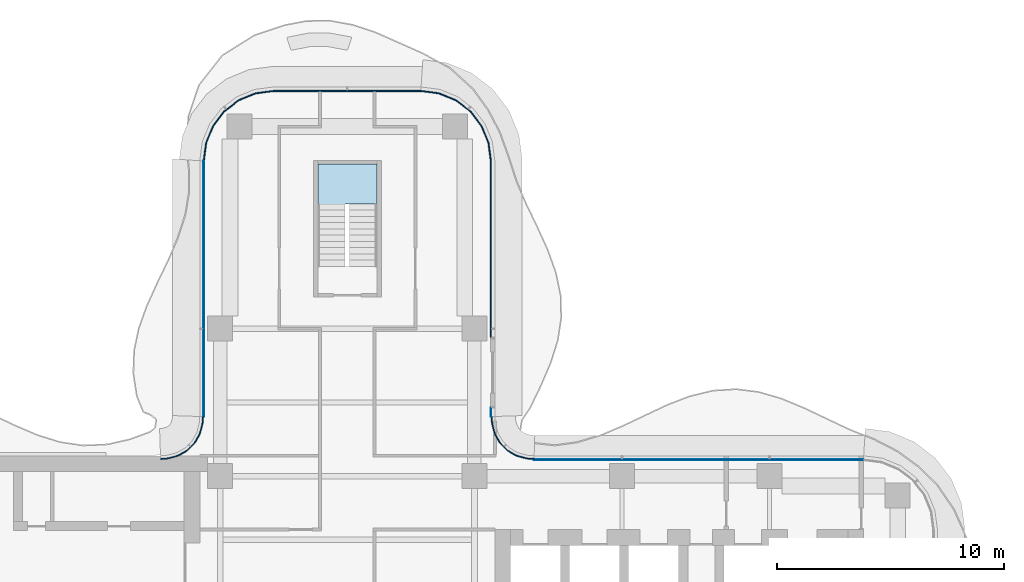
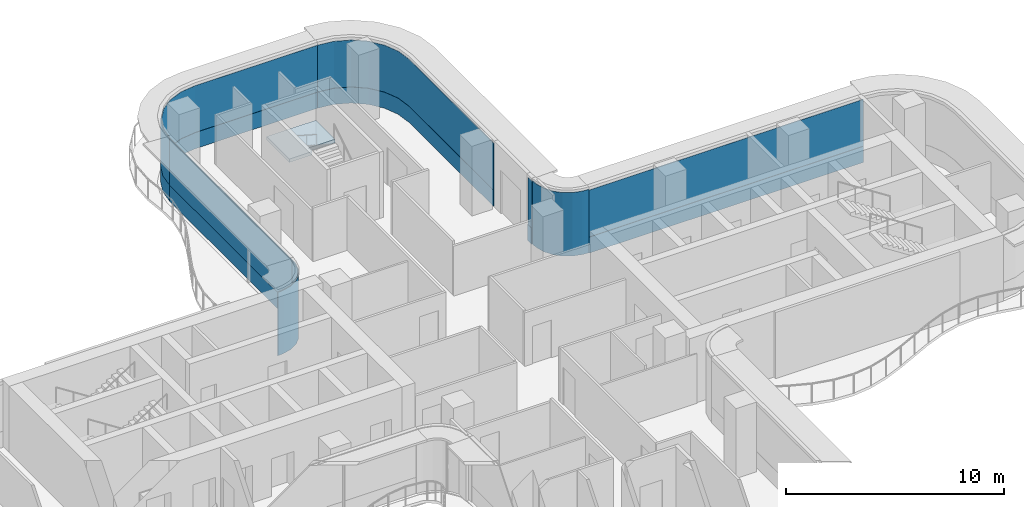
# One storey, part 12 of 18: 12 plates, 1 slab, 8 elements without a shape of their own.
"""IFC4 building model written with IfcOpenShell, lengths in metres."""

from ifc_helpers import new_model, si_unit, direction, frame, origin, place, context, subcontext, project, spatial, polyline, outline, extrude, source, transform, mapped, material, layer, layer_set, type_object, element, aggregate, save


model = new_model("IFC4")

# Units and contexts
model_context = context("Model", 3, precision=1e-05, world=origin(), true_north=direction((0.0, 1.0)))
body_context = subcontext(model_context, "Body", "Model", "MODEL_VIEW")
ifc_project = project(units=[si_unit("LENGTHUNIT", "METRE"), si_unit("AREAUNIT", "SQUARE_METRE"), si_unit("VOLUMEUNIT", "CUBIC_METRE"), si_unit("PLANEANGLEUNIT", "RADIAN"), si_unit("MASSUNIT", "GRAM", prefix="KILO")], contexts=[model_context])

# Site, building, storey
site_placement = place(None, origin())
site = spatial("IfcSite", under=ifc_project, at=site_placement, CompositionType="ELEMENT")
building_placement = place(site_placement, origin())
building = spatial("IfcBuilding", under=site, at=building_placement, Name="Trellis Farm Tower", CompositionType="ELEMENT")
storey_placement = place(building_placement, frame((0.0, 0.0, 224.60009765625)))
storey = spatial("IfcBuildingStorey", under=building, at=storey_placement, Name="L49", CompositionType="ELEMENT", Elevation=224.60009765625)

# Stair, slab
ifc_material_1 = material(Name="Concrete C50/60", Category="concrete")
stair_type = type_object("IfcStairType", Name="CORE EXIT STAIR 22 RISERS 177 MM", PredefinedType="HALF_TURN_STAIR", material=ifc_material_1)
placement_1 = place(storey_placement, origin())
stair = element("IfcStair", 1, at=placement_1, inside=storey, type_object=stair_type, Name="Exit stair N", PredefinedType="HALF_TURN_STAIR")
ifc_layer_1 = layer(ifc_material_1, 0.18994140625)
ifc_layer_set_1 = layer_set([ifc_layer_1], Name="CORE STAIR LANDING 190 CONCRETE C50/60")
slab_type = type_object("IfcSlabType", Name="CORE STAIR LANDING 190 CONCRETE C50/60", PredefinedType="LANDING", material=ifc_layer_set_1)
shared_shape_1 = source(origin(), body_context, "Body", "SweptSolid", [
    extrude(outline(polyline([(-0.10009765625, 17.27197265625), (-1.300048828125, 17.27197265625), (-1.300048828125, 17.60009765625), (-1.300048828125, 19.35009765625), (1.300048828125, 19.35009765625), (1.300048828125, 17.60009765625), (1.300048828125, 17.590087890625), (0.10009765625, 17.590087890625), (0.10009765625, 17.60009765625), (-0.10009765625, 17.60009765625), (-0.10009765625, 17.27197265625)])), origin(), (0.0, 0.0, 1.0), 0.18994140625),
])
slab_placement = place(storey_placement, frame((0.0, 0.0, 1.760009765625)))
slab = element("IfcSlab", 2, at=slab_placement, type_object=slab_type, Name="STN landing 1", PredefinedType="LANDING", context=body_context, shape_type="MappedRepresentation", body=[
    mapped(shared_shape_1, transform((0.0, 0.0, 0.0))),
])
aggregate(stair, [slab])

# Curtain wall, plate
ifc_material_2 = material(Name="Aluminium and glass curtain wall", Category="aluminium")
ifc_layer_2 = layer(ifc_material_2, 0.166015625)
ifc_layer_set_2 = layer_set([ifc_layer_2], Name="WINTER GARDEN CURTAIN WALL CW3")
curtain_wall_type_1 = type_object("IfcCurtainWallType", Name="WINTER GARDEN CURTAIN WALL CW3", PredefinedType="NOTDEFINED", material=ifc_layer_set_2)
curtain_wall_1 = element("IfcCurtainWall", 3, at=placement_1, inside=storey, type_object=curtain_wall_type_1, Name="CW3 003", PredefinedType="NOTDEFINED")
ifc_material_3 = material(Name="Clear insulated glass", Category="glass")
ifc_layer_3 = layer(ifc_material_3, 0.0458984375)
ifc_layer_set_3 = layer_set([ifc_layer_3], Name="CW3 GLASS PANEL 46")
plate_type_1 = type_object("IfcPlateType", Name="CW3 GLASS PANEL 46", PredefinedType="CURTAIN_PANEL", material=ifc_layer_set_3)
shared_shape_2 = source(origin(), body_context, "Body", "SweptSolid", [
    extrude(outline(polyline([(8.2275390625, 6.3798828125), (8.0078125, 6.394287109375), (7.89208984375, 6.40966796875), (7.462158203125, 6.52490234375), (7.070556640625, 6.7509765625), (6.7509765625, 7.070556640625), (6.52490234375, 7.462158203125), (6.40966796875, 7.89208984375), (6.394287109375, 8.0078125), (6.3798828125, 8.2275390625), (6.333984375, 8.22607421875), (6.3486328125, 8.003173828125), (6.364501953125, 7.883056640625), (6.48193359375, 7.4443359375), (6.714111328125, 7.04248046875), (7.04248046875, 6.714111328125), (7.4443359375, 6.48193359375), (7.883056640625, 6.364501953125), (8.003173828125, 6.3486328125), (8.22607421875, 6.333984375), (8.2275390625, 6.3798828125)])), origin(), (0.0, 0.0, 1.0), 3.5498046875),
])
plate_1 = element("IfcPlate", 4, at=placement_1, type_object=plate_type_1, Name="PL3 003", PredefinedType="CURTAIN_PANEL", context=body_context, shape_type="MappedRepresentation", body=[
    mapped(shared_shape_2, transform((0.0, 0.0, 0.0))),
])
aggregate(curtain_wall_1, [plate_1])

# Curtain wall, plates
ifc_layer_4 = layer(ifc_material_2, 0.18994140625)
ifc_layer_set_4 = layer_set([ifc_layer_4], Name="RIBBON CURTAIN WALL CW1")
curtain_wall_type_2 = type_object("IfcCurtainWallType", Name="RIBBON CURTAIN WALL CW1", PredefinedType="NOTDEFINED", material=ifc_layer_set_4)
curtain_wall_2 = element("IfcCurtainWall", 5, at=placement_1, inside=storey, type_object=curtain_wall_type_2, Name="CW1 010", PredefinedType="NOTDEFINED")
ifc_layer_5 = layer(ifc_material_3, 0.0400390625)
ifc_layer_set_5 = layer_set([ifc_layer_5], Name="CW1 GLASS PANEL 40")
plate_type_2 = type_object("IfcPlateType", Name="CW1 GLASS PANEL 40", PredefinedType="CURTAIN_PANEL", material=ifc_layer_set_5)
shared_shape_3 = source(origin(), body_context, "Body", "SweptSolid", [
    extrude(outline(polyline([(3.240234375, 22.60009765625), (-3.240234375, 22.60009765625), (-4.052001953125, 22.4931640625), (-4.79931640625, 22.18359375), (-5.441162109375, 21.691162109375), (-5.93359375, 21.04931640625), (-6.2431640625, 20.302001953125), (-6.35009765625, 19.490234375), (-6.31005859375, 19.487548828125), (-6.2041015625, 20.29150390625), (-5.898681640625, 21.029296875), (-5.41259765625, 21.66259765625), (-4.779296875, 22.148681640625), (-4.04150390625, 22.4541015625), (-3.237548828125, 22.56005859375), (3.237548828125, 22.56005859375), (3.240234375, 22.60009765625)])), origin(), (0.0, 0.0, 1.0), 2.6201171875),
])
placement_2 = place(storey_placement, frame((0.0, 0.0, 0.89990234375)))
plate_2 = element("IfcPlate", 6, at=placement_2, type_object=plate_type_2, Name="PL1 010", PredefinedType="CURTAIN_PANEL", context=body_context, shape_type="MappedRepresentation", body=[
    mapped(shared_shape_3, transform((0.0, 0.0, 0.0))),
])
ifc_material_4 = material(Name="Sandstone faced insulated panel", Category="masonry")
ifc_layer_6 = layer(ifc_material_4, 0.050048828125)
ifc_layer_set_6 = layer_set([ifc_layer_6], Name="CW1 STONE SPANDREL PANEL 50")
plate_type_3 = type_object("IfcPlateType", Name="CW1 STONE SPANDREL PANEL 50", PredefinedType="CURTAIN_PANEL", material=ifc_layer_set_6)
shared_shape_4 = source(origin(), body_context, "Body", "SweptSolid", [
    extrude(outline(polyline([(3.240234375, 22.60009765625), (-3.240234375, 22.60009765625), (-4.052001953125, 22.4931640625), (-4.79931640625, 22.18359375), (-5.441162109375, 21.691162109375), (-5.93359375, 21.04931640625), (-6.2431640625, 20.302001953125), (-6.35009765625, 19.490234375), (-6.300048828125, 19.48681640625), (-6.1943359375, 20.2890625), (-5.889892578125, 21.024169921875), (-5.405517578125, 21.655517578125), (-4.774169921875, 22.139892578125), (-4.0390625, 22.4443359375), (-3.23681640625, 22.550048828125), (3.23681640625, 22.550048828125), (3.240234375, 22.60009765625)])), origin(), (0.0, 0.0, 1.0), 0.89990234375),
])
plate_3 = element("IfcPlate", 7, at=placement_1, type_object=plate_type_3, Name="PS1 010", PredefinedType="CURTAIN_PANEL", context=body_context, shape_type="MappedRepresentation", body=[
    mapped(shared_shape_4, transform((0.0, 0.0, 0.0))),
])
aggregate(curtain_wall_2, [plate_2, plate_3])

curtain_wall_3 = element("IfcCurtainWall", 8, at=placement_1, inside=storey, type_object=curtain_wall_type_2, Name="CW1 011", PredefinedType="NOTDEFINED")
shared_shape_5 = source(origin(), body_context, "Body", "SweptSolid", [
    extrude(outline(polyline([(-6.35009765625, 19.490234375), (-6.35009765625, 8.2265625), (-6.31005859375, 8.22509765625), (-6.31005859375, 19.487548828125), (-6.35009765625, 19.490234375)])), origin(), (0.0, 0.0, 1.0), 2.6201171875),
])
plate_4 = element("IfcPlate", 9, at=placement_2, type_object=plate_type_2, Name="PL1 011", PredefinedType="CURTAIN_PANEL", context=body_context, shape_type="MappedRepresentation", body=[
    mapped(shared_shape_5, transform((0.0, 0.0, 0.0))),
])
shared_shape_6 = source(origin(), body_context, "Body", "SweptSolid", [
    extrude(outline(polyline([(-6.35009765625, 19.490234375), (-6.35009765625, 8.2265625), (-6.300048828125, 8.224853515625), (-6.300048828125, 19.48681640625), (-6.35009765625, 19.490234375)])), origin(), (0.0, 0.0, 1.0), 0.89990234375),
])
plate_5 = element("IfcPlate", 10, at=placement_1, type_object=plate_type_3, Name="PS1 011", PredefinedType="CURTAIN_PANEL", context=body_context, shape_type="MappedRepresentation", body=[
    mapped(shared_shape_6, transform((0.0, 0.0, 0.0))),
])
aggregate(curtain_wall_3, [plate_4, plate_5])

# Curtain wall, plate
curtain_wall_4 = element("IfcCurtainWall", 11, at=placement_1, inside=storey, type_object=curtain_wall_type_1, Name="CW3 004", PredefinedType="NOTDEFINED")
shared_shape_7 = source(origin(), body_context, "Body", "SweptSolid", [
    extrude(outline(polyline([(-6.3798828125, 8.2275390625), (-6.394287109375, 8.0078125), (-6.40966796875, 7.89208984375), (-6.52490234375, 7.462158203125), (-6.7509765625, 7.070556640625), (-7.070556640625, 6.7509765625), (-7.462158203125, 6.52490234375), (-7.89208984375, 6.40966796875), (-8.0078125, 6.394287109375), (-8.2275390625, 6.3798828125), (-8.22607421875, 6.333984375), (-8.003173828125, 6.3486328125), (-7.883056640625, 6.364501953125), (-7.4443359375, 6.48193359375), (-7.04248046875, 6.714111328125), (-6.714111328125, 7.04248046875), (-6.48193359375, 7.4443359375), (-6.364501953125, 7.883056640625), (-6.3486328125, 8.003173828125), (-6.333984375, 8.22607421875), (-6.3798828125, 8.2275390625)])), origin(), (0.0, 0.0, 1.0), 3.5498046875),
])
plate_6 = element("IfcPlate", 12, at=placement_1, type_object=plate_type_1, Name="PL3 004", PredefinedType="CURTAIN_PANEL", context=body_context, shape_type="MappedRepresentation", body=[
    mapped(shared_shape_7, transform((0.0, 0.0, 0.0))),
])
aggregate(curtain_wall_4, [plate_6])

# Curtain wall, plates
curtain_wall_5 = element("IfcCurtainWall", 13, at=placement_1, inside=storey, type_object=curtain_wall_type_2, Name="CW1 007", PredefinedType="NOTDEFINED")
shared_shape_8 = source(origin(), body_context, "Body", "SweptSolid", [
    extrude(outline(polyline([(22.740234375, 6.35009765625), (8.2265625, 6.35009765625), (8.22509765625, 6.31005859375), (22.737548828125, 6.31005859375), (22.740234375, 6.35009765625)])), origin(), (0.0, 0.0, 1.0), 2.6201171875),
])
plate_7 = element("IfcPlate", 14, at=placement_2, type_object=plate_type_2, Name="PL1 007", PredefinedType="CURTAIN_PANEL", context=body_context, shape_type="MappedRepresentation", body=[
    mapped(shared_shape_8, transform((0.0, 0.0, 0.0))),
])
shared_shape_9 = source(origin(), body_context, "Body", "SweptSolid", [
    extrude(outline(polyline([(22.740234375, 6.35009765625), (8.2265625, 6.35009765625), (8.224853515625, 6.300048828125), (22.73681640625, 6.300048828125), (22.740234375, 6.35009765625)])), origin(), (0.0, 0.0, 1.0), 0.89990234375),
])
plate_8 = element("IfcPlate", 15, at=placement_1, type_object=plate_type_3, Name="PS1 007", PredefinedType="CURTAIN_PANEL", context=body_context, shape_type="MappedRepresentation", body=[
    mapped(shared_shape_9, transform((0.0, 0.0, 0.0))),
])
aggregate(curtain_wall_5, [plate_7, plate_8])

curtain_wall_6 = element("IfcCurtainWall", 16, at=placement_1, inside=storey, type_object=curtain_wall_type_2, Name="CW1 008", PredefinedType="NOTDEFINED")
shared_shape_10 = source(origin(), body_context, "Body", "SweptSolid", [
    extrude(outline(polyline([(6.35009765625, 8.2265625), (6.35009765625, 8.605712890625), (6.31005859375, 8.605712890625), (6.31005859375, 8.22509765625), (6.35009765625, 8.2265625)])), origin(), (0.0, 0.0, 1.0), 2.6201171875),
])
plate_9 = element("IfcPlate", 17, at=placement_2, type_object=plate_type_2, Name="PL1 008", PredefinedType="CURTAIN_PANEL", context=body_context, shape_type="MappedRepresentation", body=[
    mapped(shared_shape_10, transform((0.0, 0.0, 0.0))),
])
shared_shape_11 = source(origin(), body_context, "Body", "SweptSolid", [
    extrude(outline(polyline([(6.35009765625, 8.2265625), (6.35009765625, 8.605712890625), (6.300048828125, 8.605712890625), (6.300048828125, 8.224853515625), (6.35009765625, 8.2265625)])), origin(), (0.0, 0.0, 1.0), 0.89990234375),
])
plate_10 = element("IfcPlate", 18, at=placement_1, type_object=plate_type_3, Name="PS1 008", PredefinedType="CURTAIN_PANEL", context=body_context, shape_type="MappedRepresentation", body=[
    mapped(shared_shape_11, transform((0.0, 0.0, 0.0))),
])
aggregate(curtain_wall_6, [plate_9, plate_10])

curtain_wall_7 = element("IfcCurtainWall", 19, at=placement_1, inside=storey, type_object=curtain_wall_type_2, Name="CW1 009", PredefinedType="NOTDEFINED")
shared_shape_12 = source(origin(), body_context, "Body", "SweptSolid", [
    extrude(outline(polyline([(6.35009765625, 11.7255859375), (6.35009765625, 19.490234375), (6.2431640625, 20.302001953125), (5.93359375, 21.04931640625), (5.441162109375, 21.691162109375), (4.79931640625, 22.18359375), (4.052001953125, 22.4931640625), (3.240234375, 22.60009765625), (3.237548828125, 22.56005859375), (4.04150390625, 22.4541015625), (4.779296875, 22.148681640625), (5.41259765625, 21.66259765625), (5.898681640625, 21.029296875), (6.2041015625, 20.29150390625), (6.31005859375, 19.487548828125), (6.31005859375, 11.7255859375), (6.35009765625, 11.7255859375)])), origin(), (0.0, 0.0, 1.0), 2.6201171875),
])
plate_11 = element("IfcPlate", 20, at=placement_2, type_object=plate_type_2, Name="PL1 009", PredefinedType="CURTAIN_PANEL", context=body_context, shape_type="MappedRepresentation", body=[
    mapped(shared_shape_12, transform((0.0, 0.0, 0.0))),
])
shared_shape_13 = source(origin(), body_context, "Body", "SweptSolid", [
    extrude(outline(polyline([(6.35009765625, 11.7255859375), (6.35009765625, 19.490234375), (6.2431640625, 20.302001953125), (5.93359375, 21.04931640625), (5.441162109375, 21.691162109375), (4.79931640625, 22.18359375), (4.052001953125, 22.4931640625), (3.240234375, 22.60009765625), (3.23681640625, 22.550048828125), (4.0390625, 22.4443359375), (4.774169921875, 22.139892578125), (5.405517578125, 21.655517578125), (5.889892578125, 21.024169921875), (6.1943359375, 20.2890625), (6.300048828125, 19.48681640625), (6.300048828125, 11.7255859375), (6.35009765625, 11.7255859375)])), origin(), (0.0, 0.0, 1.0), 0.89990234375),
])
plate_12 = element("IfcPlate", 21, at=placement_1, type_object=plate_type_3, Name="PS1 009", PredefinedType="CURTAIN_PANEL", context=body_context, shape_type="MappedRepresentation", body=[
    mapped(shared_shape_13, transform((0.0, 0.0, 0.0))),
])
aggregate(curtain_wall_7, [plate_11, plate_12])

save(model, "model.ifc")
